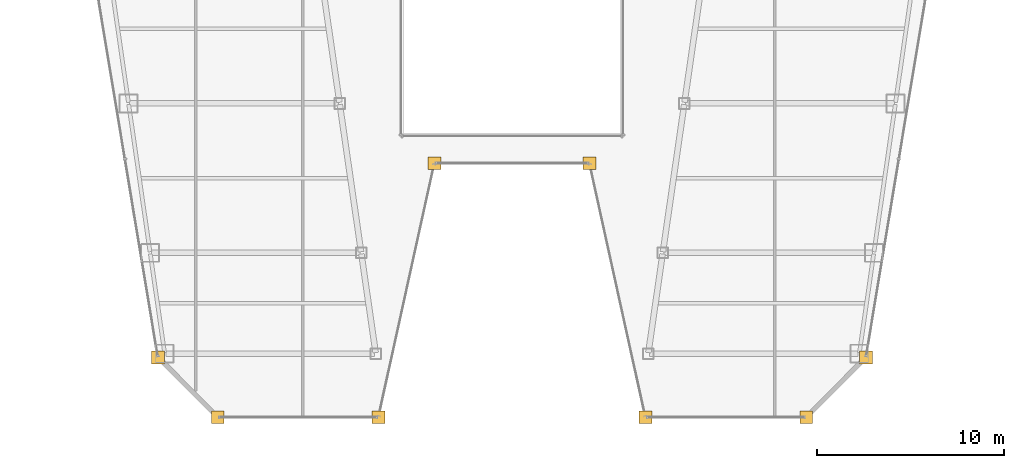
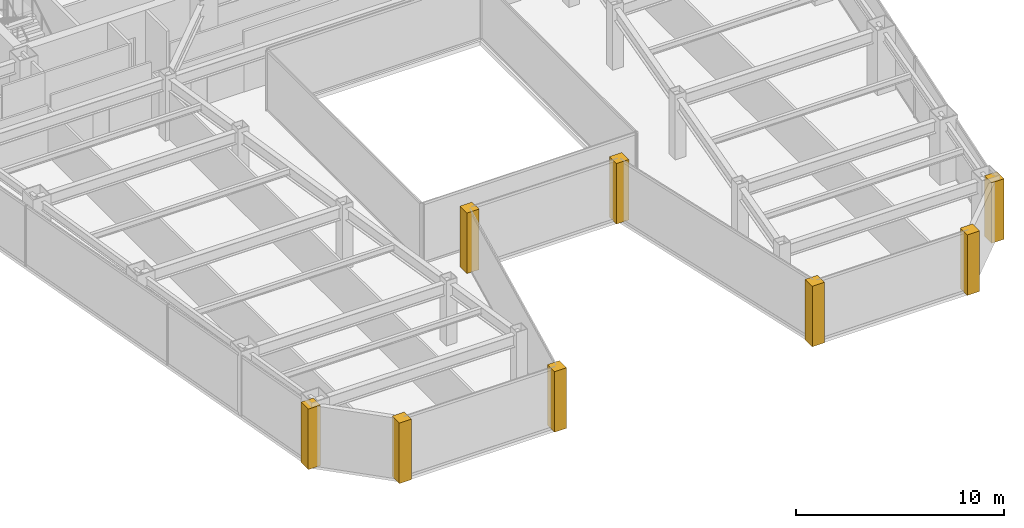
# One storey, part 35 of 37: 8 coverings.
"""IFC4 building model written with IfcOpenShell, lengths in metres."""

from ifc_helpers import new_model, si_unit, direction, frame, origin, place, context, subcontext, project, spatial, polyline, outline, extrude, material, layer, layer_set, type_object, element, save


model = new_model("IFC4")

# Units and contexts
model_context = context("Model", 3, precision=1e-05, world=origin(), true_north=direction((0.0, 1.0)))
body_context = subcontext(model_context, "Body", "Model", "MODEL_VIEW")
ifc_project = project(units=[si_unit("LENGTHUNIT", "METRE"), si_unit("AREAUNIT", "SQUARE_METRE"), si_unit("VOLUMEUNIT", "CUBIC_METRE"), si_unit("PLANEANGLEUNIT", "RADIAN"), si_unit("MASSUNIT", "GRAM", prefix="KILO")], contexts=[model_context])

# Site, building, storey
site_placement = place(None, origin())
site = spatial("IfcSite", under=ifc_project, at=site_placement, CompositionType="ELEMENT")
building_placement = place(site_placement, origin())
building = spatial("IfcBuilding", under=site, at=building_placement, Name="Saevonmaru Cultural Tower", CompositionType="ELEMENT")
storey_placement = place(building_placement, frame((0.0, 0.0, 160.0)))
storey = spatial("IfcBuildingStorey", under=building, at=storey_placement, Name="L35", CompositionType="ELEMENT", Elevation=160.0)

# Coverings
ifc_material = material(Name="Satin Bronze Anodised Aluminium", Category="aluminium")
ifc_layer = layer(ifc_material, 0.679931640625, Name="Satin Bronze Anodised Aluminium")
ifc_layer_set = layer_set([ifc_layer], Name="Satin Bronze Anodised Aluminium")
covering_type = type_object("IfcCoveringType", Name="CV-CORNER-CLAD", PredefinedType="CLADDING", material=ifc_layer_set)
covering_1_placement = place(storey_placement, origin())
element("IfcCovering", 1, at=covering_1_placement, inside=storey, type_object=covering_type, Name="L35 Tower Bronze Corner Cladding Pier 1", PredefinedType="CLADDING", context=body_context, shape_type="SweptSolid", body=[
    extrude(outline(polyline([(10.708984375, 10.06005859375), (11.388916015625, 10.06005859375), (11.388916015625, 10.739990234375), (10.708984375, 10.739990234375), (10.708984375, 10.06005859375)])), origin(), (0.0, 0.0, 1.0), 3.550048828125),
])
covering_2_placement = place(storey_placement, origin())
element("IfcCovering", 2, at=covering_2_placement, inside=storey, type_object=covering_type, Name="L35 Tower Bronze Corner Cladding Pier 2", PredefinedType="CLADDING", context=body_context, shape_type="SweptSolid", body=[
    extrude(outline(polyline([(13.908935546875, 6.860107421875), (14.589111328125, 6.860107421875), (14.589111328125, 7.5400390625), (13.908935546875, 7.5400390625), (13.908935546875, 6.860107421875)])), origin(), (0.0, 0.0, 1.0), 3.550048828125),
])
covering_3_placement = place(storey_placement, origin())
element("IfcCovering", 3, at=covering_3_placement, inside=storey, type_object=covering_type, Name="L35 Tower Bronze Corner Cladding Pier 3", PredefinedType="CLADDING", context=body_context, shape_type="SweptSolid", body=[
    extrude(outline(polyline([(22.509033203125, 6.860107421875), (23.18896484375, 6.860107421875), (23.18896484375, 7.5400390625), (22.509033203125, 7.5400390625), (22.509033203125, 6.860107421875)])), origin(), (0.0, 0.0, 1.0), 3.550048828125),
])
covering_4_placement = place(storey_placement, origin())
element("IfcCovering", 4, at=covering_4_placement, inside=storey, type_object=covering_type, Name="L35 Tower Bronze Corner Cladding Pier 4", PredefinedType="CLADDING", context=body_context, shape_type="SweptSolid", body=[
    extrude(outline(polyline([(25.509033203125, 20.4599609375), (26.18896484375, 20.4599609375), (26.18896484375, 21.139892578125), (25.509033203125, 21.139892578125), (25.509033203125, 20.4599609375)])), origin(), (0.0, 0.0, 1.0), 3.550048828125),
])
covering_5_placement = place(storey_placement, origin())
element("IfcCovering", 5, at=covering_5_placement, inside=storey, type_object=covering_type, Name="L35 Tower Bronze Corner Cladding Pier 5", PredefinedType="CLADDING", context=body_context, shape_type="SweptSolid", body=[
    extrude(outline(polyline([(33.81103515625, 20.4599609375), (34.490966796875, 20.4599609375), (34.490966796875, 21.139892578125), (33.81103515625, 21.139892578125), (33.81103515625, 20.4599609375)])), origin(), (0.0, 0.0, 1.0), 3.550048828125),
])
covering_6_placement = place(storey_placement, origin())
element("IfcCovering", 6, at=covering_6_placement, inside=storey, type_object=covering_type, Name="L35 Tower Bronze Corner Cladding Pier 6", PredefinedType="CLADDING", context=body_context, shape_type="SweptSolid", body=[
    extrude(outline(polyline([(36.81103515625, 6.860107421875), (37.490966796875, 6.860107421875), (37.490966796875, 7.5400390625), (36.81103515625, 7.5400390625), (36.81103515625, 6.860107421875)])), origin(), (0.0, 0.0, 1.0), 3.550048828125),
])
covering_7_placement = place(storey_placement, origin())
element("IfcCovering", 7, at=covering_7_placement, inside=storey, type_object=covering_type, Name="L35 Tower Bronze Corner Cladding Pier 7", PredefinedType="CLADDING", context=body_context, shape_type="SweptSolid", body=[
    extrude(outline(polyline([(45.410888671875, 6.860107421875), (46.091064453125, 6.860107421875), (46.091064453125, 7.5400390625), (45.410888671875, 7.5400390625), (45.410888671875, 6.860107421875)])), origin(), (0.0, 0.0, 1.0), 3.550048828125),
])
covering_8_placement = place(storey_placement, origin())
element("IfcCovering", 8, at=covering_8_placement, inside=storey, type_object=covering_type, Name="L35 Tower Bronze Corner Cladding Pier 8", PredefinedType="CLADDING", context=body_context, shape_type="SweptSolid", body=[
    extrude(outline(polyline([(48.611083984375, 10.06005859375), (49.291015625, 10.06005859375), (49.291015625, 10.739990234375), (48.611083984375, 10.739990234375), (48.611083984375, 10.06005859375)])), origin(), (0.0, 0.0, 1.0), 3.550048828125),
])

save(model, "model.ifc")
